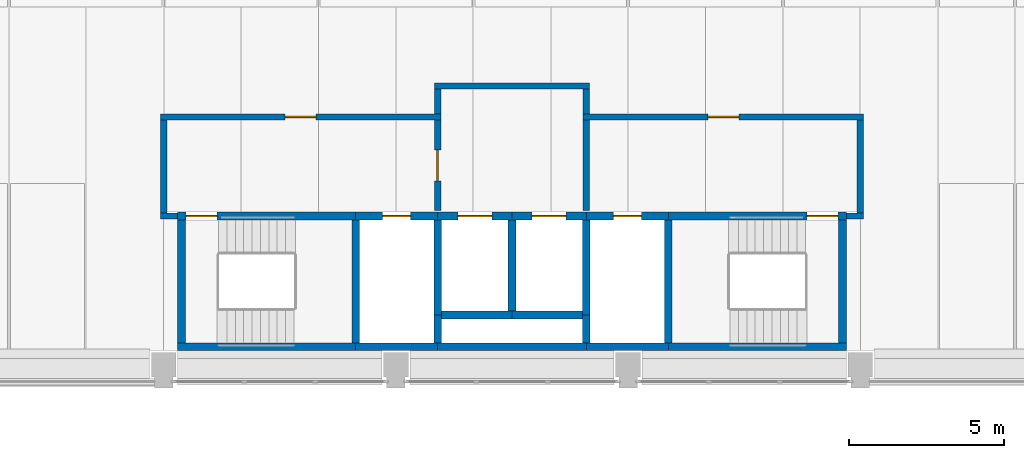
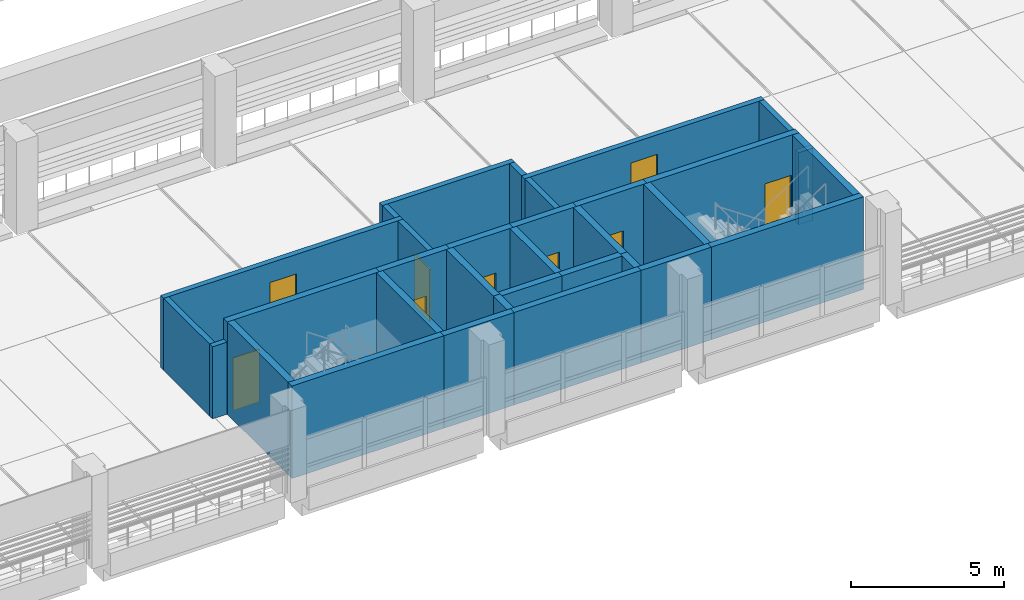
# One storey, part 34 of 61: 33 walls, 9 doors, 9 openings.
"""IFC4 building model written with IfcOpenShell, lengths in metres."""

from ifc_helpers import new_model, si_unit, direction, frame, frame_2d, origin, place, context, subcontext, project, spatial, rectangle, extrude, material, layer, layer_set, type_object, element, fill, save


model = new_model("IFC4")

# Units and contexts
model_context = context("Model", 3, precision=1e-05, world=origin(), true_north=direction((0.0, 1.0)))
body_context = subcontext(model_context, "Body", "Model", "MODEL_VIEW")
ifc_project = project(units=[si_unit("LENGTHUNIT", "METRE"), si_unit("AREAUNIT", "SQUARE_METRE"), si_unit("VOLUMEUNIT", "CUBIC_METRE"), si_unit("PLANEANGLEUNIT", "RADIAN"), si_unit("MASSUNIT", "GRAM", prefix="KILO")], contexts=[model_context])

# Site, building, storey
site_placement = place(None, origin())
site = spatial("IfcSite", under=ifc_project, at=site_placement, CompositionType="ELEMENT")
building_placement = place(site_placement, origin())
building = spatial("IfcBuilding", under=site, at=building_placement, Name="Cour d'Honneur Mobility Palace", CompositionType="ELEMENT")
storey_placement = place(building_placement, frame((0.0, 0.0, 11.89990234375)))
storey = spatial("IfcBuildingStorey", under=building, at=storey_placement, Name="L03", CompositionType="ELEMENT", Elevation=11.89990234375)

# Walls
ifc_material_1 = material(Name="Concrete C50", Category="concrete")
ifc_layer_1 = layer(ifc_material_1, 0.25)
ifc_layer_set_1 = layer_set([ifc_layer_1], Name="Concrete C50")
wall_type_1 = type_object("IfcWallType", Name="Lift shaft wall 250", PredefinedType="SHEAR", material=ifc_layer_set_1)
wall_1_placement = place(storey_placement, frame((78.875, 46.60009765625, 0.0), z_axis=(0.0, 0.0, 1.0), x_axis=(1.0, 0.0, 0.0)))
element("IfcWall", 1, at=wall_1_placement, inside=storey, type_object=wall_type_1, Name="Lift shaft wall WL-CC6 L03", PredefinedType="SHEAR", context=body_context, shape_type="SweptSolid", body=[
    extrude(rectangle(XDim=2.27490234375, YDim=0.25, at=frame_2d((1.137451171875, 0.0))), origin(), (0.0, 0.0, 1.0), 3.7001953125),
])
wall_2_placement = place(storey_placement, frame((81.14990234375, 46.60009765625, 0.0), z_axis=(0.0, 0.0, 1.0), x_axis=(1.0, 0.0, 0.0)))
element("IfcWall", 2, at=wall_2_placement, inside=storey, type_object=wall_type_1, Name="Lift shaft wall WL-CC7 L03", PredefinedType="SHEAR", context=body_context, shape_type="SweptSolid", body=[
    extrude(rectangle(XDim=2.275146484375, YDim=0.25, at=frame_2d((1.1376953125, 0.0))), origin(), (0.0, 0.0, 1.0), 3.7001953125),
])

# Wall, opening, door
wall_3_placement = place(storey_placement, frame((78.75, 49.800048828125, 0.0), z_axis=(0.0, 0.0, 1.0), x_axis=(1.0, 0.0, 0.0)))
wall_3 = element("IfcWall", 3, at=wall_3_placement, inside=storey, type_object=wall_type_1, Name="Lift shaft wall WL-CC10 L03", PredefinedType="SHEAR", context=body_context, shape_type="SweptSolid", body=[
    extrude(rectangle(XDim=2.39990234375, YDim=0.25, at=frame_2d((1.199951171875, 0.0))), origin(), (0.0, 0.0, 1.0), 3.7001953125),
])
opening_1_placement = place(wall_3_placement, frame((0.64990234375, 0.0, 0.0)))
opening_1 = element("IfcOpeningElement", 4, at=opening_1_placement, cuts=wall_3, Name="Opening LD44", PredefinedType="OPENING", context=body_context, shape_type="SweptSolid", body=[
    extrude(rectangle(XDim=1.10009765625, YDim=2.10009765625, at=frame_2d((0.550048828125, 1.050048828125))), frame((0.0, 0.135009765625, 0.0), z_axis=(0.0, -1.0, 0.0), x_axis=(1.0, 0.0, 0.0)), (0.0, 0.0, 1.0), 0.27001953125),
])
ifc_material_2 = material(Name="Stainless steel", Category="steel")
door_type_1 = type_object("IfcDoorType", Name="Landing door 1100 x 2100", OperationType="SLIDING_TO_LEFT", PredefinedType="DOOR", material=ifc_material_2)
door_1_placement = place(opening_1_placement, origin())
door_1 = element("IfcDoor", 5, at=door_1_placement, inside=storey, type_object=door_type_1, Name="Landing door LF-CC1 L03", OperationType="SLIDING_TO_LEFT", OverallHeight=2.10009765625, OverallWidth=1.10009765625, PredefinedType="DOOR", context=body_context, shape_type="SweptSolid", body=[
    extrude(rectangle(XDim=1.10009765625, YDim=2.10009765625, at=frame_2d((0.550048828125, 1.050048828125))), frame((0.0, 0.02490234375, 0.0), z_axis=(0.0, -1.0, 0.0), x_axis=(1.0, 0.0, 0.0)), (0.0, 0.0, 1.0), 0.050048828125),
])
fill(opening_1, door_1)

wall_4_placement = place(storey_placement, frame((81.14990234375, 49.800048828125, 0.0), z_axis=(0.0, 0.0, 1.0), x_axis=(1.0, 0.0, 0.0)))
wall_4 = element("IfcWall", 6, at=wall_4_placement, inside=storey, type_object=wall_type_1, Name="Lift shaft wall WL-CC11 L03", PredefinedType="SHEAR", context=body_context, shape_type="SweptSolid", body=[
    extrude(rectangle(XDim=2.400146484375, YDim=0.25, at=frame_2d((1.2001953125, 0.0))), origin(), (0.0, 0.0, 1.0), 3.7001953125),
])
opening_2_placement = place(wall_4_placement, frame((0.64990234375, 0.0, 0.0)))
opening_2 = element("IfcOpeningElement", 7, at=opening_2_placement, cuts=wall_4, Name="Opening LD50", PredefinedType="OPENING", context=body_context, shape_type="SweptSolid", body=[
    extrude(rectangle(XDim=1.10009765625, YDim=2.10009765625, at=frame_2d((0.550048828125, 1.050048828125))), frame((0.0, 0.135009765625, 0.0), z_axis=(0.0, -1.0, 0.0), x_axis=(1.0, 0.0, 0.0)), (0.0, 0.0, 1.0), 0.27001953125),
])
door_2_placement = place(opening_2_placement, origin())
door_2 = element("IfcDoor", 8, at=door_2_placement, inside=storey, type_object=door_type_1, Name="Landing door LF-CC2 L03", OperationType="SLIDING_TO_LEFT", OverallHeight=2.10009765625, OverallWidth=1.10009765625, PredefinedType="DOOR", context=body_context, shape_type="SweptSolid", body=[
    extrude(rectangle(XDim=1.10009765625, YDim=2.10009765625, at=frame_2d((0.550048828125, 1.050048828125))), frame((0.0, 0.02490234375, 0.0), z_axis=(0.0, -1.0, 0.0), x_axis=(1.0, 0.0, 0.0)), (0.0, 0.0, 1.0), 0.050048828125),
])
fill(opening_2, door_2)

# Walls
wall_5_placement = place(storey_placement, frame((78.75, 46.60009765625, 0.0), z_axis=(0.0, 0.0, 1.0), x_axis=(0.0, 1.0, 0.0)))
element("IfcWall", 9, at=wall_5_placement, inside=storey, type_object=wall_type_1, Name="Lift shaft wall WL-CC17 L03", PredefinedType="SHEAR", context=body_context, shape_type="SweptSolid", body=[
    extrude(rectangle(XDim=3.074951171875, YDim=0.25, at=frame_2d((1.53759765625, 0.0))), origin(), (0.0, 0.0, 1.0), 3.7001953125),
])
wall_6_placement = place(storey_placement, frame((81.14990234375, 46.72509765625, 0.0), z_axis=(0.0, 0.0, 1.0), x_axis=(0.0, 1.0, 0.0)))
element("IfcWall", 10, at=wall_6_placement, inside=storey, type_object=wall_type_1, Name="Lift shaft wall WL-CC18 L03", PredefinedType="SHEAR", context=body_context, shape_type="SweptSolid", body=[
    extrude(rectangle(XDim=2.949951171875, YDim=0.25, at=frame_2d((1.47509765625, 0.0))), origin(), (0.0, 0.0, 1.0), 3.7001953125),
])
wall_7_placement = place(storey_placement, frame((83.550048828125, 46.60009765625, 0.0), z_axis=(0.0, 0.0, 1.0), x_axis=(0.0, 1.0, 0.0)))
element("IfcWall", 11, at=wall_7_placement, inside=storey, type_object=wall_type_1, Name="Lift shaft wall WL-CC20 L03", PredefinedType="SHEAR", context=body_context, shape_type="SweptSolid", body=[
    extrude(rectangle(XDim=3.074951171875, YDim=0.25, at=frame_2d((1.53759765625, 0.0))), origin(), (0.0, 0.0, 1.0), 3.7001953125),
])
ifc_material_3 = material(Name="Gypsum plasterboard")
ifc_layer_2 = layer(ifc_material_3, 0.199951171875)
ifc_layer_set_2 = layer_set([ifc_layer_2], Name="Gypsum plasterboard")
wall_type_2 = type_object("IfcWallType", Name="Partition 200 rated EI 120", PredefinedType="PARTITIONING", material=ifc_layer_set_2)
for number, where, z_axis, x_axis, name in (
    (12, (69.800048828125, 49.800048828125, 0.0), (0.0, 0.0, 1.0), (1.0, 0.0, 0.0), "Partition 019"),
    (13, (91.949951171875, 49.800048828125, 0.0), (0.0, 0.0, 1.0), (1.0, 0.0, 0.0), "Partition 020"),
):
    element("IfcWall", number, at=place(storey_placement, frame(where, z_axis=z_axis, x_axis=x_axis)), inside=storey, type_object=wall_type_2, Name=name, PredefinedType="PARTITIONING", context=body_context, shape_type="SweptSolid", body=[
        extrude(rectangle(XDim=0.550048828125, YDim=0.199951171875, at=frame_2d((0.27490234375, 0.0))), origin(), (0.0, 0.0, 1.0), 2.880126953125),
    ])
wall_8_placement = place(storey_placement, frame((92.39990234375, 49.89990234375, 0.0), z_axis=(0.0, 0.0, 1.0), x_axis=(0.0, 1.0, 0.0)))
element("IfcWall", 14, at=wall_8_placement, inside=storey, type_object=wall_type_2, Name="Partition 021", PredefinedType="PARTITIONING", context=body_context, shape_type="SweptSolid", body=[
    extrude(rectangle(XDim=3.0, YDim=0.199951171875, at=frame_2d((1.5, 0.0))), origin(), (0.0, 0.0, 1.0), 2.880126953125),
])

# Wall, opening, door
wall_9_placement = place(storey_placement, frame((78.75, 49.97509765625, 0.0), z_axis=(0.0, 0.0, 1.0), x_axis=(0.0, 1.0, 0.0)))
wall_9 = element("IfcWall", 15, at=wall_9_placement, inside=storey, type_object=wall_type_2, Name="Partition 022", PredefinedType="PARTITIONING", context=body_context, shape_type="SweptSolid", body=[
    extrude(rectangle(XDim=2.9248046875, YDim=0.199951171875, at=frame_2d((1.46240234375, 0.0))), origin(), (0.0, 0.0, 1.0), 2.880126953125),
])
opening_3_placement = place(wall_9_placement, frame((0.96240234375, 0.0, 0.0)))
opening_3 = element("IfcOpeningElement", 16, at=opening_3_placement, cuts=wall_9, Name="Opening D0305", PredefinedType="OPENING", context=body_context, shape_type="SweptSolid", body=[
    extrude(rectangle(XDim=1.0, YDim=2.10009765625, at=frame_2d((0.5, 1.050048828125))), frame((0.0, 0.10986328125, 0.0), z_axis=(0.0, -1.0, 0.0), x_axis=(1.0, 0.0, 0.0)), (0.0, 0.0, 1.0), 0.219970703125),
])
ifc_material_4 = material(Name="Galvanised steel", Category="steel")
door_type_2 = type_object("IfcDoorType", Name="Fire door FD120 1000 x 2100", OperationType="SINGLE_SWING_LEFT", PredefinedType="DOOR", material=ifc_material_4)
door_3_placement = place(opening_3_placement, origin())
door_3 = element("IfcDoor", 17, at=door_3_placement, inside=storey, type_object=door_type_2, Name="Door Lift Lobby CC", OperationType="SINGLE_SWING_RIGHT", OverallHeight=2.10009765625, OverallWidth=1.0, PredefinedType="DOOR", context=body_context, shape_type="SweptSolid", body=[
    extrude(rectangle(XDim=1.0, YDim=2.10009765625, at=frame_2d((0.5, 1.050048828125))), frame((0.0, 0.02490234375, 0.0), z_axis=(0.0, -1.0, 0.0), x_axis=(1.0, 0.0, 0.0)), (0.0, 0.0, 1.0), 0.050048828125),
])
fill(opening_3, door_3)

# Walls
wall_10_placement = place(storey_placement, frame((83.550048828125, 49.97509765625, 0.0), z_axis=(0.0, 0.0, 1.0), x_axis=(0.0, 1.0, 0.0)))
element("IfcWall", 18, at=wall_10_placement, inside=storey, type_object=wall_type_2, Name="Partition 023", PredefinedType="PARTITIONING", context=body_context, shape_type="SweptSolid", body=[
    extrude(rectangle(XDim=2.9248046875, YDim=0.199951171875, at=frame_2d((1.46240234375, 0.0))), origin(), (0.0, 0.0, 1.0), 2.880126953125),
])
wall_11_placement = place(storey_placement, frame((69.89990234375, 52.89990234375, 0.0), z_axis=(0.0, 0.0, 1.0), x_axis=(0.0, -1.0, 0.0)))
element("IfcWall", 19, at=wall_11_placement, inside=storey, type_object=wall_type_2, Name="Partition 031", PredefinedType="PARTITIONING", context=body_context, shape_type="SweptSolid", body=[
    extrude(rectangle(XDim=3.0, YDim=0.199951171875, at=frame_2d((1.5, 0.0))), origin(), (0.0, 0.0, 1.0), 2.880126953125),
])

# Wall, opening, door
wall_12_placement = place(storey_placement, frame((78.85009765625, 53.0, 0.0), z_axis=(0.0, 0.0, 1.0), x_axis=(-1.0, 0.0, 0.0)))
wall_12 = element("IfcWall", 20, at=wall_12_placement, inside=storey, type_object=wall_type_2, Name="Partition 032", PredefinedType="PARTITIONING", context=body_context, shape_type="SweptSolid", body=[
    extrude(rectangle(XDim=9.050048828125, YDim=0.199951171875, at=frame_2d((4.52490234375, 0.0))), origin(), (0.0, 0.0, 1.0), 2.880126953125),
])
opening_4_placement = place(wall_12_placement, frame((4.02490234375, 0.0, 0.0)))
opening_4 = element("IfcOpeningElement", 21, at=opening_4_placement, cuts=wall_12, Name="Opening D0304", PredefinedType="OPENING", context=body_context, shape_type="SweptSolid", body=[
    extrude(rectangle(XDim=1.0, YDim=2.10009765625, at=frame_2d((0.5, 1.050048828125))), frame((0.0, 0.10986328125, 0.0), z_axis=(0.0, -1.0, 0.0), x_axis=(1.0, 0.0, 0.0)), (0.0, 0.0, 1.0), 0.219970703125),
])
door_4_placement = place(opening_4_placement, origin())
door_4 = element("IfcDoor", 22, at=door_4_placement, inside=storey, type_object=door_type_2, Name="Door Stair Lobby CC West", OperationType="SINGLE_SWING_LEFT", OverallHeight=2.10009765625, OverallWidth=1.0, PredefinedType="DOOR", context=body_context, shape_type="SweptSolid", body=[
    extrude(rectangle(XDim=1.0, YDim=2.10009765625, at=frame_2d((0.5, 1.050048828125))), frame((0.0, 0.02490234375, 0.0), z_axis=(0.0, -1.0, 0.0), x_axis=(1.0, 0.0, 0.0)), (0.0, 0.0, 1.0), 0.050048828125),
])
fill(opening_4, door_4)

# Wall
wall_13_placement = place(storey_placement, frame((83.550048828125, 53.10009765625, 0.0), z_axis=(0.0, 0.0, 1.0), x_axis=(0.0, 1.0, 0.0)))
element("IfcWall", 23, at=wall_13_placement, inside=storey, type_object=wall_type_2, Name="Partition 033", PredefinedType="PARTITIONING", context=body_context, shape_type="SweptSolid", body=[
    extrude(rectangle(XDim=0.7998046875, YDim=0.199951171875, at=frame_2d((0.39990234375, 0.0))), origin(), (0.0, 0.0, 1.0), 2.880126953125),
])

# Wall, opening, door
wall_14_placement = place(storey_placement, frame((92.5, 53.0, 0.0), z_axis=(0.0, 0.0, 1.0), x_axis=(-1.0, 0.0, 0.0)))
wall_14 = element("IfcWall", 24, at=wall_14_placement, inside=storey, type_object=wall_type_2, Name="Partition 034", PredefinedType="PARTITIONING", context=body_context, shape_type="SweptSolid", body=[
    extrude(rectangle(XDim=9.050048828125, YDim=0.199951171875, at=frame_2d((4.52490234375, 0.0))), origin(), (0.0, 0.0, 1.0), 2.880126953125),
])
opening_5_placement = place(wall_14_placement, frame((4.02490234375, 0.0, 0.0)))
opening_5 = element("IfcOpeningElement", 25, at=opening_5_placement, cuts=wall_14, Name="Opening D0306", PredefinedType="OPENING", context=body_context, shape_type="SweptSolid", body=[
    extrude(rectangle(XDim=1.0, YDim=2.10009765625, at=frame_2d((0.5, 1.050048828125))), frame((0.0, 0.10986328125, 0.0), z_axis=(0.0, -1.0, 0.0), x_axis=(1.0, 0.0, 0.0)), (0.0, 0.0, 1.0), 0.219970703125),
])
door_5_placement = place(opening_5_placement, origin())
door_5 = element("IfcDoor", 26, at=door_5_placement, inside=storey, type_object=door_type_2, Name="Door Stair Lobby CC East", OperationType="SINGLE_SWING_RIGHT", OverallHeight=2.10009765625, OverallWidth=1.0, PredefinedType="DOOR", context=body_context, shape_type="SweptSolid", body=[
    extrude(rectangle(XDim=1.0, YDim=2.10009765625, at=frame_2d((0.5, 1.050048828125))), frame((0.0, 0.02490234375, 0.0), z_axis=(0.0, -1.0, 0.0), x_axis=(1.0, 0.0, 0.0)), (0.0, 0.0, 1.0), 0.050048828125),
])
fill(opening_5, door_5)

# Walls
wall_15_placement = place(storey_placement, frame((78.75, 53.89990234375, 0.0), z_axis=(0.0, 0.0, 1.0), x_axis=(0.0, -1.0, 0.0)))
element("IfcWall", 27, at=wall_15_placement, inside=storey, type_object=wall_type_2, Name="Partition 035", PredefinedType="PARTITIONING", context=body_context, shape_type="SweptSolid", body=[
    extrude(rectangle(XDim=0.7998046875, YDim=0.199951171875, at=frame_2d((0.39990234375, 0.0))), origin(), (0.0, 0.0, 1.0), 2.880126953125),
])
wall_16_placement = place(storey_placement, frame((83.64990234375, 54.0, 0.0), z_axis=(0.0, 0.0, 1.0), x_axis=(-1.0, 0.0, 0.0)))
element("IfcWall", 28, at=wall_16_placement, inside=storey, type_object=wall_type_2, Name="Partition 036", PredefinedType="PARTITIONING", context=body_context, shape_type="SweptSolid", body=[
    extrude(rectangle(XDim=5.0, YDim=0.199951171875, at=frame_2d((2.5, 0.0))), origin(), (0.0, 0.0, 1.0), 2.880126953125),
])
ifc_material_5 = material(Name="Concrete C50", Category="concrete")
ifc_layer_3 = layer(ifc_material_5, 0.25)
ifc_layer_set_3 = layer_set([ifc_layer_3], Name="Concrete C50")
wall_type_3 = type_object("IfcWallType", Name="Shaft wall 250", PredefinedType="SHEAR", material=ifc_layer_set_3)
wall_17_placement = place(storey_placement, frame((76.10009765625, 45.574951171875, 0.0), z_axis=(0.0, 0.0, 1.0), x_axis=(1.0, 0.0, 0.0)))
element("IfcWall", 29, at=wall_17_placement, inside=storey, type_object=wall_type_3, Name="Shaft wall WR-CC2 L03", PredefinedType="SHEAR", context=body_context, shape_type="SweptSolid", body=[
    extrude(rectangle(XDim=2.64990234375, YDim=0.25, at=frame_2d((1.324951171875, 0.0))), origin(), (0.0, 0.0, 1.0), 3.7001953125),
])
wall_18_placement = place(storey_placement, frame((78.75, 45.574951171875, 0.0), z_axis=(0.0, 0.0, 1.0), x_axis=(1.0, 0.0, 0.0)))
element("IfcWall", 30, at=wall_18_placement, inside=storey, type_object=wall_type_3, Name="Shaft wall WR-CC3 L03", PredefinedType="SHEAR", context=body_context, shape_type="SweptSolid", body=[
    extrude(rectangle(XDim=4.800048828125, YDim=0.25, at=frame_2d((2.39990234375, 0.0))), origin(), (0.0, 0.0, 1.0), 3.7001953125),
])
wall_19_placement = place(storey_placement, frame((83.550048828125, 45.574951171875, 0.0), z_axis=(0.0, 0.0, 1.0), x_axis=(1.0, 0.0, 0.0)))
element("IfcWall", 31, at=wall_19_placement, inside=storey, type_object=wall_type_3, Name="Shaft wall WR-CC4 L03", PredefinedType="SHEAR", context=body_context, shape_type="SweptSolid", body=[
    extrude(rectangle(XDim=2.64990234375, YDim=0.25, at=frame_2d((1.324951171875, 0.0))), origin(), (0.0, 0.0, 1.0), 3.7001953125),
])

# Wall, opening, door
wall_20_placement = place(storey_placement, frame((76.10009765625, 49.800048828125, 0.0), z_axis=(0.0, 0.0, 1.0), x_axis=(1.0, 0.0, 0.0)))
wall_20 = element("IfcWall", 32, at=wall_20_placement, inside=storey, type_object=wall_type_3, Name="Shaft wall WR-CC9 L03", PredefinedType="SHEAR", context=body_context, shape_type="SweptSolid", body=[
    extrude(rectangle(XDim=2.64990234375, YDim=0.25, at=frame_2d((1.324951171875, 0.0))), origin(), (0.0, 0.0, 1.0), 3.7001953125),
])
opening_6_placement = place(wall_20_placement, frame((0.875, 0.0, 0.0)))
opening_6 = element("IfcOpeningElement", 33, at=opening_6_placement, cuts=wall_20, Name="Opening R4", PredefinedType="OPENING", context=body_context, shape_type="SweptSolid", body=[
    extrude(rectangle(XDim=0.89990234375, YDim=2.10009765625, at=frame_2d((0.449951171875, 1.050048828125))), frame((0.0, 0.135009765625, 0.0), z_axis=(0.0, -1.0, 0.0), x_axis=(1.0, 0.0, 0.0)), (0.0, 0.0, 1.0), 0.27001953125),
])
ifc_material_6 = material(Name="Galvanised steel", Category="steel")
door_type_3 = type_object("IfcDoorType", Name="Riser door FD120 900 x 2100", OperationType="SINGLE_SWING_LEFT", PredefinedType="DOOR", material=ifc_material_6)
door_6_placement = place(opening_6_placement, origin())
door_6 = element("IfcDoor", 34, at=door_6_placement, inside=storey, type_object=door_type_3, Name="Riser door CC.R1 L03", OperationType="SINGLE_SWING_LEFT", OverallHeight=2.10009765625, OverallWidth=0.89990234375, PredefinedType="DOOR", context=body_context, shape_type="SweptSolid", body=[
    extrude(rectangle(XDim=0.89990234375, YDim=2.10009765625, at=frame_2d((0.449951171875, 1.050048828125))), frame((0.0, 0.02490234375, 0.0), z_axis=(0.0, -1.0, 0.0), x_axis=(1.0, 0.0, 0.0)), (0.0, 0.0, 1.0), 0.050048828125),
])
fill(opening_6, door_6)

wall_21_placement = place(storey_placement, frame((83.550048828125, 49.800048828125, 0.0), z_axis=(0.0, 0.0, 1.0), x_axis=(1.0, 0.0, 0.0)))
wall_21 = element("IfcWall", 35, at=wall_21_placement, inside=storey, type_object=wall_type_3, Name="Shaft wall WR-CC12 L03", PredefinedType="SHEAR", context=body_context, shape_type="SweptSolid", body=[
    extrude(rectangle(XDim=2.64990234375, YDim=0.25, at=frame_2d((1.324951171875, 0.0))), origin(), (0.0, 0.0, 1.0), 3.7001953125),
])
opening_7_placement = place(wall_21_placement, frame((0.875, 0.0, 0.0)))
opening_7 = element("IfcOpeningElement", 36, at=opening_7_placement, cuts=wall_21, Name="Opening R10", PredefinedType="OPENING", context=body_context, shape_type="SweptSolid", body=[
    extrude(rectangle(XDim=0.89990234375, YDim=2.10009765625, at=frame_2d((0.449951171875, 1.050048828125))), frame((0.0, 0.135009765625, 0.0), z_axis=(0.0, -1.0, 0.0), x_axis=(1.0, 0.0, 0.0)), (0.0, 0.0, 1.0), 0.27001953125),
])
door_7_placement = place(opening_7_placement, origin())
door_7 = element("IfcDoor", 37, at=door_7_placement, inside=storey, type_object=door_type_3, Name="Riser door CC.R2 L03", OperationType="SINGLE_SWING_LEFT", OverallHeight=2.10009765625, OverallWidth=0.89990234375, PredefinedType="DOOR", context=body_context, shape_type="SweptSolid", body=[
    extrude(rectangle(XDim=0.89990234375, YDim=2.10009765625, at=frame_2d((0.449951171875, 1.050048828125))), frame((0.0, 0.02490234375, 0.0), z_axis=(0.0, -1.0, 0.0), x_axis=(1.0, 0.0, 0.0)), (0.0, 0.0, 1.0), 0.050048828125),
])
fill(opening_7, door_7)

# Walls
for number, where, z_axis, x_axis, name in (
    (38, (78.75, 45.699951171875, 0.0), (0.0, 0.0, 1.0), (0.0, 1.0, 0.0), "Shaft wall WR-CC16 L03"),
    (39, (83.550048828125, 45.699951171875, 0.0), (0.0, 0.0, 1.0), (0.0, 1.0, 0.0), "Shaft wall WR-CC19 L03"),
):
    element("IfcWall", number, at=place(storey_placement, frame(where, z_axis=z_axis, x_axis=x_axis)), inside=storey, type_object=wall_type_3, Name=name, PredefinedType="SHEAR", context=body_context, shape_type="SweptSolid", body=[
        extrude(rectangle(XDim=0.900146484375, YDim=0.25, at=frame_2d((0.4501953125, 0.0))), origin(), (0.0, 0.0, 1.0), 3.7001953125),
    ])
ifc_material_7 = material(Name="Concrete C50", Category="concrete")
ifc_layer_4 = layer(ifc_material_7, 0.25)
ifc_layer_set_4 = layer_set([ifc_layer_4], Name="Concrete C50")
wall_type_4 = type_object("IfcWallType", Name="Stair wall 250", PredefinedType="SHEAR", material=ifc_layer_set_4)
for number, where, z_axis, x_axis, name in (
    (40, (70.35009765625, 45.574951171875, 0.0), (0.0, 0.0, 1.0), (1.0, 0.0, 0.0), "Stair wall WS-CC1 L03"),
    (41, (86.199951171875, 45.574951171875, 0.0), (0.0, 0.0, 1.0), (1.0, 0.0, 0.0), "Stair wall WS-CC5 L03"),
):
    element("IfcWall", number, at=place(storey_placement, frame(where, z_axis=z_axis, x_axis=x_axis)), inside=storey, type_object=wall_type_4, Name=name, PredefinedType="SHEAR", context=body_context, shape_type="SweptSolid", body=[
        extrude(rectangle(XDim=5.75, YDim=0.25, at=frame_2d((2.875, 0.0))), origin(), (0.0, 0.0, 1.0), 3.7001953125),
    ])

# Wall, opening, door
wall_22_placement = place(storey_placement, frame((70.35009765625, 49.800048828125, 0.0), z_axis=(0.0, 0.0, 1.0), x_axis=(1.0, 0.0, 0.0)))
wall_22 = element("IfcWall", 42, at=wall_22_placement, inside=storey, type_object=wall_type_4, Name="Stair wall WS-CC8 L03", PredefinedType="SHEAR", context=body_context, shape_type="SweptSolid", body=[
    extrude(rectangle(XDim=5.75, YDim=0.25, at=frame_2d((2.875, 0.0))), origin(), (0.0, 0.0, 1.0), 3.7001953125),
])
opening_8_placement = place(wall_22_placement, frame((0.27490234375, 0.0, 0.0)))
opening_8 = element("IfcOpeningElement", 43, at=opening_8_placement, cuts=wall_22, Name="Opening S88", PredefinedType="OPENING", context=body_context, shape_type="SweptSolid", body=[
    extrude(rectangle(XDim=1.0, YDim=2.10009765625, at=frame_2d((0.5, 1.050048828125))), frame((0.0, 0.135009765625, 0.0), z_axis=(0.0, -1.0, 0.0), x_axis=(1.0, 0.0, 0.0)), (0.0, 0.0, 1.0), 0.27001953125),
])
ifc_material_8 = material(Name="Galvanised steel", Category="steel")
door_type_4 = type_object("IfcDoorType", Name="Fire door FD120 stair 1000 x 2100", OperationType="SINGLE_SWING_LEFT", PredefinedType="DOOR", material=ifc_material_8)
door_8_placement = place(opening_8_placement, origin())
door_8 = element("IfcDoor", 44, at=door_8_placement, inside=storey, type_object=door_type_4, Name="Stair door ST-CC1 L03", OperationType="SINGLE_SWING_LEFT", OverallHeight=2.10009765625, OverallWidth=1.0, PredefinedType="DOOR", context=body_context, shape_type="SweptSolid", body=[
    extrude(rectangle(XDim=1.0, YDim=2.10009765625, at=frame_2d((0.5, 1.050048828125))), frame((0.0, 0.02490234375, 0.0), z_axis=(0.0, -1.0, 0.0), x_axis=(1.0, 0.0, 0.0)), (0.0, 0.0, 1.0), 0.050048828125),
])
fill(opening_8, door_8)

wall_23_placement = place(storey_placement, frame((86.199951171875, 49.800048828125, 0.0), z_axis=(0.0, 0.0, 1.0), x_axis=(1.0, 0.0, 0.0)))
wall_23 = element("IfcWall", 45, at=wall_23_placement, inside=storey, type_object=wall_type_4, Name="Stair wall WS-CC13 L03", PredefinedType="SHEAR", context=body_context, shape_type="SweptSolid", body=[
    extrude(rectangle(XDim=5.75, YDim=0.25, at=frame_2d((2.875, 0.0))), origin(), (0.0, 0.0, 1.0), 3.7001953125),
])
opening_9_placement = place(wall_23_placement, frame((4.47509765625, 0.0, 0.0)))
opening_9 = element("IfcOpeningElement", 46, at=opening_9_placement, cuts=wall_23, Name="Opening S94", PredefinedType="OPENING", context=body_context, shape_type="SweptSolid", body=[
    extrude(rectangle(XDim=1.0, YDim=2.10009765625, at=frame_2d((0.5, 1.050048828125))), frame((0.0, 0.135009765625, 0.0), z_axis=(0.0, -1.0, 0.0), x_axis=(1.0, 0.0, 0.0)), (0.0, 0.0, 1.0), 0.27001953125),
])
door_9_placement = place(opening_9_placement, origin())
door_9 = element("IfcDoor", 47, at=door_9_placement, inside=storey, type_object=door_type_4, Name="Stair door ST-CC2 L03", OperationType="SINGLE_SWING_RIGHT", OverallHeight=2.10009765625, OverallWidth=1.0, PredefinedType="DOOR", context=body_context, shape_type="SweptSolid", body=[
    extrude(rectangle(XDim=1.0, YDim=2.10009765625, at=frame_2d((0.5, 1.050048828125))), frame((0.0, 0.02490234375, 0.0), z_axis=(0.0, -1.0, 0.0), x_axis=(1.0, 0.0, 0.0)), (0.0, 0.0, 1.0), 0.050048828125),
])
fill(opening_9, door_9)

# Walls
for number, where, z_axis, x_axis, name in (
    (48, (70.47509765625, 45.699951171875, 0.0), (0.0, 0.0, 1.0), (0.0, 1.0, 0.0), "Stair wall WS-CC14 L03"),
    (49, (76.10009765625, 45.699951171875, 0.0), (0.0, 0.0, 1.0), (0.0, 1.0, 0.0), "Stair wall WS-CC15 L03"),
    (50, (86.199951171875, 45.699951171875, 0.0), (0.0, 0.0, 1.0), (0.0, 1.0, 0.0), "Stair wall WS-CC21 L03"),
    (51, (91.824951171875, 45.699951171875, 0.0), (0.0, 0.0, 1.0), (0.0, 1.0, 0.0), "Stair wall WS-CC22 L03"),
):
    element("IfcWall", number, at=place(storey_placement, frame(where, z_axis=z_axis, x_axis=x_axis)), inside=storey, type_object=wall_type_4, Name=name, PredefinedType="SHEAR", context=body_context, shape_type="SweptSolid", body=[
        extrude(rectangle(XDim=3.97509765625, YDim=0.25, at=frame_2d((1.987548828125, 0.0))), origin(), (0.0, 0.0, 1.0), 3.7001953125),
    ])

save(model, "model.ifc")
